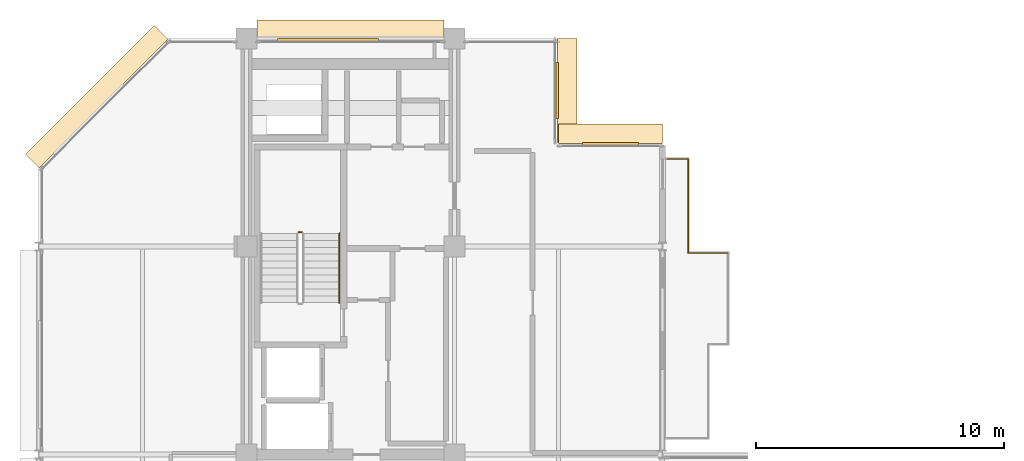
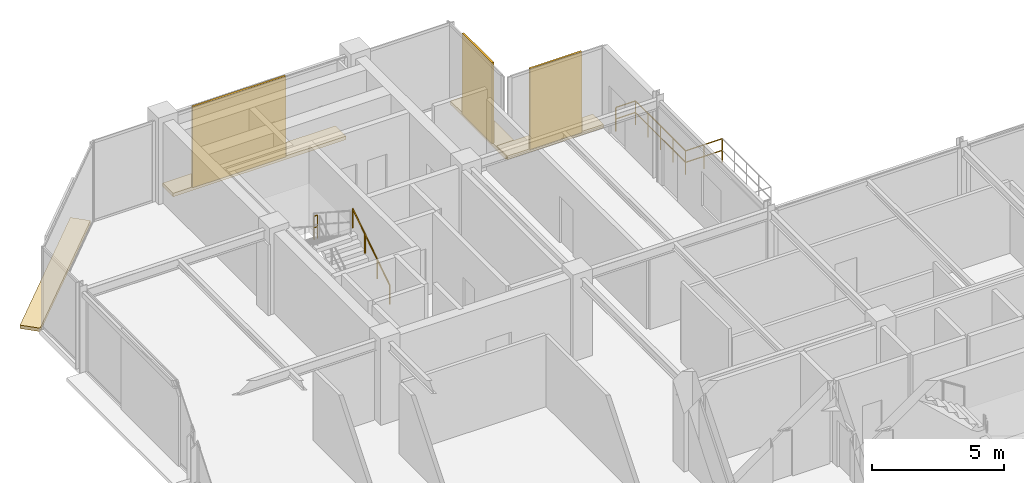
# One storey, part 27 of 27: 7 coverings, 5 railings.
"""IFC4 building model written with IfcOpenShell, lengths in metres."""

from ifc_helpers import new_model, si_unit, direction, frame, origin, origin_2d, place, context, subcontext, project, spatial, polyline, rectangle, circle, outline, extrude, material, layer, layer_set, type_object, element, save


model = new_model("IFC4")

# Units and contexts
model_context = context("Model", 3, precision=1e-05, world=origin(), true_north=direction((0.0, 1.0)))
body_context = subcontext(model_context, "Body", "Model", "MODEL_VIEW")
ifc_project = project(units=[si_unit("LENGTHUNIT", "METRE"), si_unit("AREAUNIT", "SQUARE_METRE"), si_unit("VOLUMEUNIT", "CUBIC_METRE"), si_unit("PLANEANGLEUNIT", "RADIAN"), si_unit("MASSUNIT", "GRAM", prefix="KILO")], contexts=[model_context])

# Site, building, storey
site_placement = place(None, origin())
site = spatial("IfcSite", under=ifc_project, at=site_placement, CompositionType="ELEMENT")
building_placement = place(site_placement, origin())
building = spatial("IfcBuilding", under=site, at=building_placement, Name="Nerrivon Quay Data Exchange", CompositionType="ELEMENT")
storey_placement = place(building_placement, frame((0.0, 0.0, 278.199951171875)))
storey = spatial("IfcBuildingStorey", under=building, at=storey_placement, Name="L66", CompositionType="ELEMENT", Elevation=278.199951171875)

# Coverings
ifc_material_1 = material(Name="Architectural terracotta ceramic", Category="masonry")
ifc_layer_1 = layer(ifc_material_1, 0.159912109375)
ifc_layer_set_1 = layer_set([ifc_layer_1], Name="Architectural terracotta ceramic")
covering_type_1 = type_object("IfcCoveringType", Name="COV-BLD-TERR", PredefinedType="CLADDING", material=ifc_layer_set_1)
covering_1_placement = place(storey_placement, frame((0.0, 0.0, -0.159912109375)))
element("IfcCovering", 1, at=covering_1_placement, inside=storey, type_object=covering_type_1, Name="L66 Horizontal Terracotta SOLAR SCREEN Blade", PredefinedType="CLADDING", context=body_context, shape_type="SweptSolid", body=[
    extrude(outline(polyline([(0.0283203125, 36.771728515625), (5.228271484375, 41.9716796875), (4.669677734375, 42.5302734375), (-0.5302734375, 37.330322265625), (0.0283203125, 36.771728515625)])), origin(), (0.0, 0.0, 1.0), 0.159912109375),
])
covering_2_placement = place(storey_placement, frame((0.0, 0.0, -0.159912109375)))
element("IfcCovering", 2, at=covering_2_placement, inside=storey, type_object=covering_type_1, Name="L66 Horizontal Terracotta SOLAR SCREEN Blade", PredefinedType="CLADDING", context=body_context, shape_type="SweptSolid", body=[
    extrude(outline(polyline([(8.824951171875, 41.9599609375), (16.375, 41.9599609375), (16.375, 42.75), (8.824951171875, 42.75), (8.824951171875, 41.9599609375)])), origin(), (0.0, 0.0, 1.0), 0.159912109375),
])
covering_3_placement = place(storey_placement, frame((0.0, 0.0, -0.159912109375)))
element("IfcCovering", 3, at=covering_3_placement, inside=storey, type_object=covering_type_1, Name="L66 Horizontal Terracotta SOLAR SCREEN Blade", PredefinedType="CLADDING", context=body_context, shape_type="SweptSolid", body=[
    extrude(outline(polyline([(20.9599609375, 42.0), (20.9599609375, 37.800048828125), (21.75, 37.800048828125), (21.75, 42.0), (20.9599609375, 42.0)])), origin(), (0.0, 0.0, 1.0), 0.159912109375),
])
covering_4_placement = place(storey_placement, frame((0.0, 0.0, -0.159912109375)))
element("IfcCovering", 4, at=covering_4_placement, inside=storey, type_object=covering_type_1, Name="L66 Horizontal Terracotta SOLAR SCREEN Blade", PredefinedType="CLADDING", context=body_context, shape_type="SweptSolid", body=[
    extrude(outline(polyline([(21.0, 37.760009765625), (25.199951171875, 37.760009765625), (25.199951171875, 38.550048828125), (21.0, 38.550048828125), (21.0, 37.760009765625)])), origin(), (0.0, 0.0, 1.0), 0.159912109375),
])
ifc_layer_2 = layer(ifc_material_1, 0.090087890625)
ifc_layer_set_2 = layer_set([ifc_layer_2], Name="Architectural terracotta ceramic")
covering_type_2 = type_object("IfcCoveringType", Name="COV-SCR-TERR", PredefinedType="CLADDING", material=ifc_layer_set_2)
covering_5_placement = place(storey_placement, frame((11.694091796875, 41.955078125, 0.0), z_axis=(0.0, 0.0, 1.0), x_axis=(1.0, 0.0, 0.0)))
element("IfcCovering", 5, at=covering_5_placement, inside=storey, type_object=covering_type_2, Name="L66 Perforated Terracotta SOLAR SCREEN Cassette", PredefinedType="CLADDING", context=body_context, shape_type="SweptSolid", body=[
    extrude(rectangle(XDim=4.076904296875, YDim=0.090087890625, at=origin_2d()), origin(), (0.0, 0.0, 1.0), 3.72509765625),
])
for number, where, z_axis, x_axis, name in (
    (6, (20.955078125, 39.89990234375, 0.0), (0.0, 0.0, 1.0), (0.0, -1.0, 0.0), "L66 Perforated Terracotta SOLAR SCREEN Cassette"),
    (7, (23.10009765625, 37.7548828125, 0.0), (0.0, 0.0, 1.0), (1.0, 0.0, 0.0), "L66 Perforated Terracotta SOLAR SCREEN Cassette"),
):
    element("IfcCovering", number, at=place(storey_placement, frame(where, z_axis=z_axis, x_axis=x_axis)), inside=storey, type_object=covering_type_2, Name=name, PredefinedType="CLADDING", context=body_context, shape_type="SweptSolid", body=[
        extrude(rectangle(XDim=2.26806640625, YDim=0.090087890625, at=origin_2d()), origin(), (0.0, 0.0, 1.0), 3.72509765625),
    ])

# Railings
ifc_material_2 = material(Name="Steel Grade C350L0 (350 MPa)", Category="steel")
railing_type_1 = type_object("IfcRailingType", Name="RAIL-GUARD-GR2", PredefinedType="BALUSTRADE", material=ifc_material_2)
railing_1_placement = place(storey_placement, frame((25.3798828125, 37.139892578125, 0.0)))
element("IfcRailing", 8, at=railing_1_placement, inside=storey, type_object=railing_type_1, Name="L66 Verandah Balcony Guard 1.3 1", PredefinedType="BALUSTRADE", context=body_context, shape_type="SweptSolid", body=[
    extrude(circle(Radius=0.02392578125, at=origin_2d()), frame((0.0, 0.0, 1.09619140625), z_axis=(1.0, 0.0, 0.0), x_axis=(0.0, 1.0, 0.0)), (0.0, 0.0, 1.0), 0.860107421875),
    extrude(circle(Radius=0.02392578125, at=origin_2d()), frame((0.0, 0.0, 0.56005859375), z_axis=(1.0, 0.0, 0.0), x_axis=(0.0, 1.0, 0.0)), (0.0, 0.0, 1.0), 0.860107421875),
    extrude(circle(Radius=0.02099609375, at=origin_2d()), origin(), (0.0, 0.0, 1.0), 1.072021484375),
    extrude(circle(Radius=0.02099609375, at=origin_2d()), frame((0.860107421875, 0.0, 0.0)), (0.0, 0.0, 1.0), 1.072021484375),
])
railing_2_placement = place(storey_placement, frame((26.239990234375, 37.139892578125, 0.0)))
element("IfcRailing", 9, at=railing_2_placement, inside=storey, type_object=railing_type_1, Name="L66 Verandah Balcony Guard 1.4 1", PredefinedType="BALUSTRADE", context=body_context, shape_type="SweptSolid", body=[
    extrude(circle(Radius=0.02392578125, at=origin_2d()), frame((0.0, 0.0, 1.09619140625), z_axis=(0.0, -1.0, 0.0), x_axis=(1.0, 0.0, 0.0)), (0.0, 0.0, 1.0), 3.7998046875),
    extrude(circle(Radius=0.02392578125, at=origin_2d()), frame((0.0, 0.0, 0.56005859375), z_axis=(0.0, -1.0, 0.0), x_axis=(1.0, 0.0, 0.0)), (0.0, 0.0, 1.0), 3.7998046875),
    extrude(circle(Radius=0.02099609375, at=origin_2d()), origin(), (0.0, 0.0, 1.0), 1.072021484375),
    extrude(circle(Radius=0.02099609375, at=origin_2d()), frame((0.0, -0.949951171875, 0.0)), (0.0, 0.0, 1.0), 1.072021484375),
    extrude(circle(Radius=0.02099609375, at=origin_2d()), frame((0.0, -1.89990234375, 0.0)), (0.0, 0.0, 1.0), 1.072021484375),
    extrude(circle(Radius=0.02099609375, at=origin_2d()), frame((0.0, -2.849853515625, 0.0)), (0.0, 0.0, 1.0), 1.072021484375),
    extrude(circle(Radius=0.02099609375, at=origin_2d()), frame((0.0, -3.7998046875, 0.0)), (0.0, 0.0, 1.0), 1.072021484375),
])
railing_3_placement = place(storey_placement, frame((26.239990234375, 33.340087890625, 0.0)))
element("IfcRailing", 10, at=railing_3_placement, inside=storey, type_object=railing_type_1, Name="L66 Verandah Balcony Guard 1.5 1", PredefinedType="BALUSTRADE", context=body_context, shape_type="SweptSolid", body=[
    extrude(circle(Radius=0.02392578125, at=origin_2d()), frame((0.0, 0.0, 1.09619140625), z_axis=(1.0, 0.0, 0.0), x_axis=(0.0, 1.0, 0.0)), (0.0, 0.0, 1.0), 1.60009765625),
    extrude(circle(Radius=0.02392578125, at=origin_2d()), frame((0.0, 0.0, 0.56005859375), z_axis=(1.0, 0.0, 0.0), x_axis=(0.0, 1.0, 0.0)), (0.0, 0.0, 1.0), 1.60009765625),
    extrude(circle(Radius=0.02099609375, at=origin_2d()), origin(), (0.0, 0.0, 1.0), 1.072021484375),
    extrude(circle(Radius=0.02099609375, at=origin_2d()), frame((0.800048828125, 0.0, 0.0)), (0.0, 0.0, 1.0), 1.072021484375),
    extrude(circle(Radius=0.02099609375, at=origin_2d()), frame((1.60009765625, 0.0, 0.0)), (0.0, 0.0, 1.0), 1.072021484375),
])
railing_type_2 = type_object("IfcRailingType", Name="RAIL-HAND-HR1", PredefinedType="HANDRAIL", material=ifc_material_2)
railing_4_placement = place(storey_placement, frame((12.14990234375, 31.330078125, 0.181884765625)))
element("IfcRailing", 11, at=railing_4_placement, inside=storey, type_object=railing_type_2, Name="L66 ST01 stair handrail 1", PredefinedType="HANDRAIL", context=body_context, shape_type="SweptSolid", body=[
    extrude(circle(Radius=0.02392578125, at=origin_2d()), frame((0.0, 0.0, 0.8759765625), z_axis=(0.0, 0.83868413941, 0.544618136222), x_axis=(-1.0, 0.0, 0.0)), (0.0, 0.0, 1.0), 3.33837890625),
    extrude(circle(Radius=0.02099609375, at=origin_2d()), origin(), (0.0, 0.0, 1.0), 0.851806640625),
    extrude(circle(Radius=0.02099609375, at=origin_2d()), frame((0.0, 0.933349609375, 0.60595703125)), (0.0, 0.0, 1.0), 0.851806640625),
    extrude(circle(Radius=0.02099609375, at=origin_2d()), frame((0.0, 1.866455078125, 1.212158203125)), (0.0, 0.0, 1.0), 0.851806640625),
    extrude(circle(Radius=0.02099609375, at=origin_2d()), frame((0.0, 2.7998046875, 1.818115234375)), (0.0, 0.0, 1.0), 0.851806640625),
])
railing_type_3 = type_object("IfcRailingType", Name="RAIL-STAIR-GR1", PredefinedType="BALUSTRADE", material=ifc_material_2)
railing_5_placement = place(storey_placement, frame((10.64990234375, 34.179931640625, 2.0)))
element("IfcRailing", 12, at=railing_5_placement, inside=storey, type_object=railing_type_3, Name="L66 ST01 stair guard 2", PredefinedType="BALUSTRADE", context=body_context, shape_type="SweptSolid", body=[
    extrude(circle(Radius=0.02392578125, at=origin_2d()), frame((0.0, 0.0, 1.076171875), z_axis=(-1.0, 0.0, 0.0), x_axis=(0.0, -1.0, 0.0)), (0.0, 0.0, 1.0), 0.14990234375),
    extrude(circle(Radius=0.02392578125, at=origin_2d()), frame((0.0, 0.0, 0.550048828125), z_axis=(-1.0, 0.0, 0.0), x_axis=(0.0, -1.0, 0.0)), (0.0, 0.0, 1.0), 0.14990234375),
    extrude(circle(Radius=0.02099609375, at=origin_2d()), origin(), (0.0, 0.0, 1.0), 1.052001953125),
    extrude(circle(Radius=0.02099609375, at=origin_2d()), frame((-0.14990234375, 0.0, 0.0)), (0.0, 0.0, 1.0), 1.052001953125),
])

save(model, "model.ifc")
